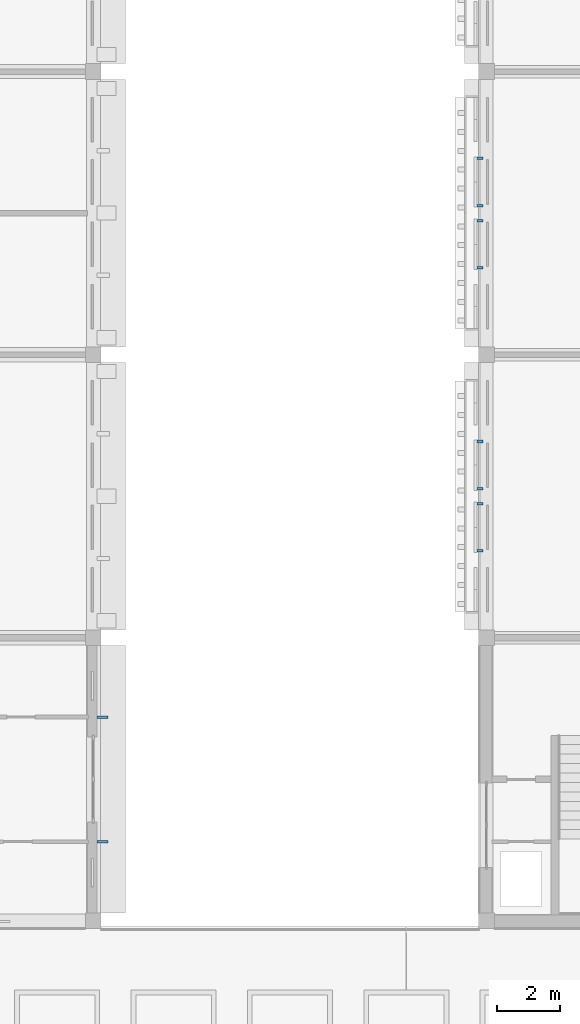
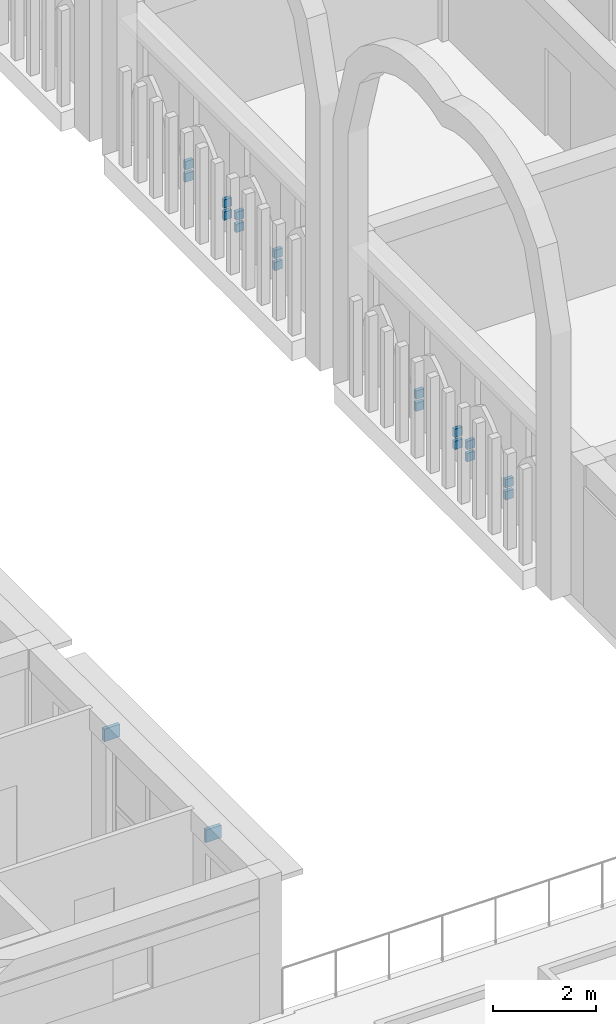
# One storey, part 63 of 82: 18 discrete accessories.
"""IFC4 building model written with IfcOpenShell, lengths in metres."""

from ifc_helpers import new_model, si_unit, direction, frame, origin, origin_2d, place, context, subcontext, project, spatial, rectangle, extrude, material, type_object, element, save


model = new_model("IFC4")

# Units and contexts
model_context = context("Model", 3, precision=1e-05, world=origin(), true_north=direction((0.0, 1.0)))
body_context = subcontext(model_context, "Body", "Model", "MODEL_VIEW")
ifc_project = project(units=[si_unit("LENGTHUNIT", "METRE"), si_unit("AREAUNIT", "SQUARE_METRE"), si_unit("VOLUMEUNIT", "CUBIC_METRE"), si_unit("PLANEANGLEUNIT", "RADIAN"), si_unit("MASSUNIT", "GRAM", prefix="KILO")], contexts=[model_context])

# Site, building, storey
site_placement = place(None, origin())
site = spatial("IfcSite", under=ifc_project, at=site_placement, CompositionType="ELEMENT")
building_placement = place(site_placement, origin())
building = spatial("IfcBuilding", under=site, at=building_placement, Name="Elbe Cascade School", CompositionType="ELEMENT")
storey_placement = place(building_placement, frame((0.0, 0.0, 4.5)))
storey = spatial("IfcBuildingStorey", under=building, at=storey_placement, Name="L01", CompositionType="ELEMENT", Elevation=4.5)

# Discrete accessories
ifc_material = material(Name="Steel S355J2, hot-dip galvanised", Category="steel")
discrete_accessory_type = type_object("IfcDiscreteAccessoryType", Name="Bars envelope Bracket, galvanised steel", PredefinedType="BRACKET", material=ifc_material)
for number, where, z_axis, x_axis, name in (
    (1, (115.9951171875, 8.52001953125, 2.43017578125), (0.0, 0.0, 1.0), (0.0, 1.0, 0.0), "Bracket AC7 eave.e.1.br1"),
    (2, (115.9951171875, 12.47998046875, 2.43017578125), (0.0, 0.0, 1.0), (0.0, 1.0, 0.0), "Bracket AC7 eave.e.1.br2"),
):
    element("IfcDiscreteAccessory", number, at=place(storey_placement, frame(where, z_axis=z_axis, x_axis=x_axis)), inside=storey, type_object=discrete_accessory_type, Name=name, PredefinedType="BRACKET", context=body_context, shape_type="SweptSolid", body=[
        extrude(rectangle(XDim=0.080078125, YDim=0.35009765625, at=origin_2d()), origin(), (0.0, 0.0, 1.0), 0.300048828125),
    ])
for number, where, z_axis, x_axis, name in (
    (3, (127.989990234375, 17.760009765625, 0.75), (0.0, 0.0, 1.0), (0.0, 1.0, 0.0), "Bracket AC7 jali.w.2.br2ll"),
    (4, (127.989990234375, 17.760009765625, 1.0400390625), (0.0, 0.0, 1.0), (0.0, 1.0, 0.0), "Bracket AC7 jali.w.2.br2lu"),
    (5, (127.989990234375, 19.260009765625, 0.75), (0.0, 0.0, 1.0), (0.0, 1.0, 0.0), "Bracket AC7 jali.w.2.br2rl"),
    (6, (127.989990234375, 19.260009765625, 1.0400390625), (0.0, 0.0, 1.0), (0.0, 1.0, 0.0), "Bracket AC7 jali.w.2.br2ru"),
    (7, (127.989990234375, 19.739990234375, 0.75), (0.0, 0.0, 1.0), (0.0, 1.0, 0.0), "Bracket AC7 jali.w.2.br3ll"),
    (8, (127.989990234375, 19.739990234375, 1.0400390625), (0.0, 0.0, 1.0), (0.0, 1.0, 0.0), "Bracket AC7 jali.w.2.br3lu"),
    (9, (127.989990234375, 21.239990234375, 0.75), (0.0, 0.0, 1.0), (0.0, 1.0, 0.0), "Bracket AC7 jali.w.2.br3rl"),
    (10, (127.989990234375, 21.239990234375, 1.0400390625), (0.0, 0.0, 1.0), (0.0, 1.0, 0.0), "Bracket AC7 jali.w.2.br3ru"),
    (11, (127.989990234375, 26.760009765625, 0.75), (0.0, 0.0, 1.0), (0.0, 1.0, 0.0), "Bracket AC7 jali.w.3.br2ll"),
    (12, (127.989990234375, 26.760009765625, 1.0400390625), (0.0, 0.0, 1.0), (0.0, 1.0, 0.0), "Bracket AC7 jali.w.3.br2lu"),
    (13, (127.989990234375, 28.260009765625, 0.75), (0.0, 0.0, 1.0), (0.0, 1.0, 0.0), "Bracket AC7 jali.w.3.br2rl"),
    (14, (127.989990234375, 28.260009765625, 1.0400390625), (0.0, 0.0, 1.0), (0.0, 1.0, 0.0), "Bracket AC7 jali.w.3.br2ru"),
    (15, (127.989990234375, 28.739990234375, 0.75), (0.0, 0.0, 1.0), (0.0, 1.0, 0.0), "Bracket AC7 jali.w.3.br3ll"),
    (16, (127.989990234375, 28.739990234375, 1.0400390625), (0.0, 0.0, 1.0), (0.0, 1.0, 0.0), "Bracket AC7 jali.w.3.br3lu"),
    (17, (127.989990234375, 30.239990234375, 0.75), (0.0, 0.0, 1.0), (0.0, 1.0, 0.0), "Bracket AC7 jali.w.3.br3rl"),
    (18, (127.989990234375, 30.239990234375, 1.0400390625), (0.0, 0.0, 1.0), (0.0, 1.0, 0.0), "Bracket AC7 jali.w.3.br3ru"),
):
    element("IfcDiscreteAccessory", number, at=place(storey_placement, frame(where, z_axis=z_axis, x_axis=x_axis)), inside=storey, type_object=discrete_accessory_type, Name=name, PredefinedType="BRACKET", context=body_context, shape_type="SweptSolid", body=[
        extrude(rectangle(XDim=0.080078125, YDim=0.179931640625, at=origin_2d()), origin(), (0.0, 0.0, 1.0), 0.199951171875),
    ])

save(model, "model.ifc")
